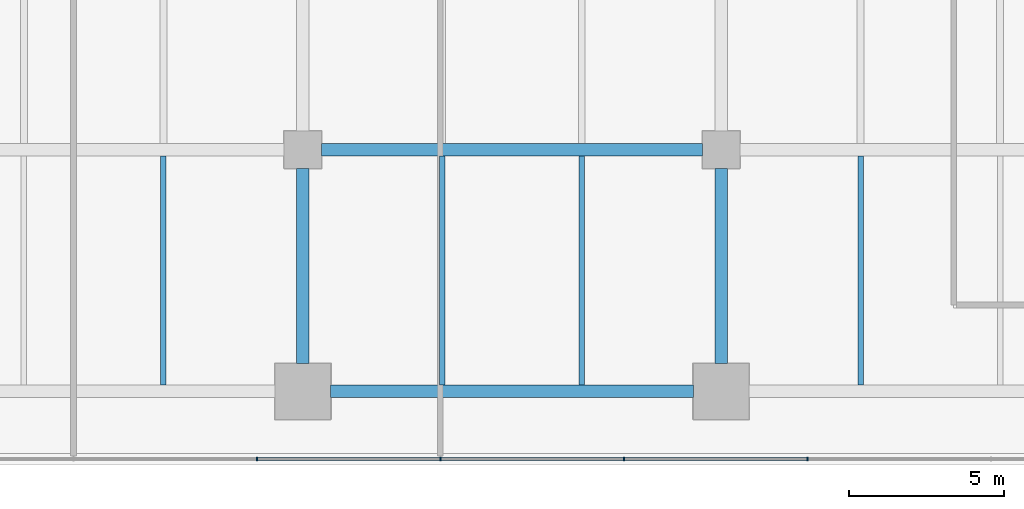
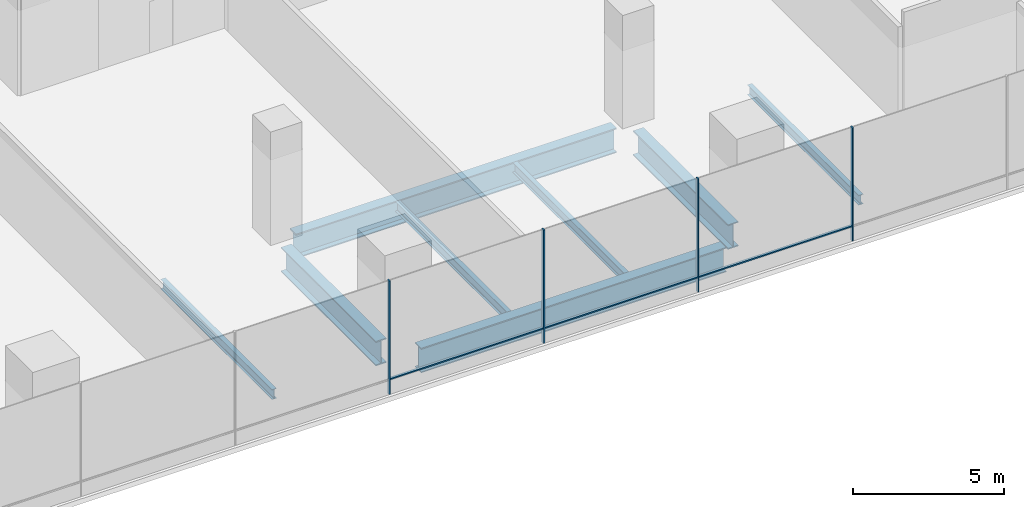
# One storey, part 6 of 28: 8 beams, 7 members, 1 element without a shape of its own.
"""IFC4 building model written with IfcOpenShell, lengths in metres."""

from ifc_helpers import new_model, si_unit, direction, frame, origin, origin_2d, place, context, subcontext, project, spatial, rectangle, i_section, extrude, material, layer, layer_set, material_profile, profile_set, type_object, element, aggregate, save


model = new_model("IFC4")

# Units and contexts
model_context = context("Model", 3, precision=1e-05, world=origin(), true_north=direction((0.0, 1.0)))
body_context = subcontext(model_context, "Body", "Model", "MODEL_VIEW")
ifc_project = project(units=[si_unit("LENGTHUNIT", "METRE"), si_unit("AREAUNIT", "SQUARE_METRE"), si_unit("VOLUMEUNIT", "CUBIC_METRE"), si_unit("PLANEANGLEUNIT", "RADIAN"), si_unit("MASSUNIT", "GRAM", prefix="KILO")], contexts=[model_context])

# Site, building, storey
site_placement = place(None, origin())
site = spatial("IfcSite", under=ifc_project, at=site_placement, CompositionType="ELEMENT")
building_placement = place(site_placement, origin())
building = spatial("IfcBuilding", under=site, at=building_placement, Name="Rattan Terrace Tower", CompositionType="ELEMENT")
storey_placement = place(building_placement, frame((0.0, 0.0, 22.199951171875)))
storey = spatial("IfcBuildingStorey", under=building, at=storey_placement, Name="L04", CompositionType="ELEMENT", Elevation=22.199951171875)

# Beams
ifc_material_1 = material(Name="Steel S355", Category="steel")
ifc_material_profile_1 = material_profile(ifc_material_1, i_section(OverallWidth=0.179931640625, OverallDepth=0.39990234375, WebThickness=0.008544921875, FlangeThickness=0.013427734375, FilletRadius=0.02099609375, at=origin_2d()), Name="IPE 400")
ifc_profile_set_1 = profile_set([ifc_material_profile_1], Name="Steel S355")
beam_type_1 = type_object("IfcBeamType", Name="Frame floor beam IPE 400", PredefinedType="JOIST", material=ifc_profile_set_1)
for number, where, z_axis, x_axis, name in (
    (1, (-4.5, -34.699951171875, -0.39990234375), (0.0, 1.0, 0.0), (-1.0, 0.0, 0.0), "bm-L04-007"),
    (2, (4.5, -34.699951171875, -0.39990234375), (0.0, 1.0, 0.0), (-1.0, 0.0, 0.0), "bm-L04-008"),
    (3, (9.0, -34.699951171875, -0.39990234375), (0.0, 1.0, 0.0), (-1.0, 0.0, 0.0), "bm-L04-009"),
    (4, (18.0, -34.699951171875, -0.39990234375), (0.0, 1.0, 0.0), (-1.0, 0.0, 0.0), "bm-L04-010"),
):
    element("IfcBeam", number, at=place(storey_placement, frame(where, z_axis=z_axis, x_axis=x_axis)), inside=storey, type_object=beam_type_1, Name=name, PredefinedType="JOIST", context=body_context, shape_type="SweptSolid", body=[
        extrude(i_section(OverallWidth=0.179931640625, OverallDepth=0.39990234375, WebThickness=0.008544921875, FlangeThickness=0.013427734375, FilletRadius=0.02099609375, at=origin_2d()), origin(), (0.0, 0.0, 1.0), 7.39990234375),
    ])
ifc_material_2 = material(Name="Steel S460", Category="steel")
ifc_material_profile_2 = material_profile(ifc_material_2, i_section(OverallWidth=0.39990234375, OverallDepth=1.0, WebThickness=0.01806640625, FlangeThickness=0.044921875, at=origin_2d()), Name="PG 1000x400-18-45")
ifc_profile_set_2 = profile_set([ifc_material_profile_2], Name="Steel S460")
beam_type_2 = type_object("IfcBeamType", Name="Frame podium girder PG 1000x400-18-45", PredefinedType="USERDEFINED", material=ifc_profile_set_2)
beam_1_placement = place(storey_placement, frame((0.89990234375, -34.89990234375, -0.699951171875), z_axis=(1.0, 0.0, 0.0), x_axis=(0.0, 1.0, 0.0)))
element("IfcBeam", 5, at=beam_1_placement, inside=storey, type_object=beam_type_2, Name="gdr-L04-004", ObjectType="PODIUM GIRDER", PredefinedType="USERDEFINED", context=body_context, shape_type="SweptSolid", body=[
    extrude(i_section(OverallWidth=0.39990234375, OverallDepth=1.0, WebThickness=0.01806640625, FlangeThickness=0.044921875, at=origin_2d()), origin(), (0.0, 0.0, 1.0), 11.7001953125),
])
for number, where, z_axis, x_axis, name in (
    (6, (0.0, -34.0, -0.699951171875), (0.0, 1.0, 0.0), (-1.0, 0.0, 0.0), "gdr-L04-010"),
    (7, (13.5, -34.0, -0.699951171875), (0.0, 1.0, 0.0), (-1.0, 0.0, 0.0), "gdr-L04-011"),
):
    element("IfcBeam", number, at=place(storey_placement, frame(where, z_axis=z_axis, x_axis=x_axis)), inside=storey, type_object=beam_type_2, Name=name, ObjectType="PODIUM GIRDER", PredefinedType="USERDEFINED", context=body_context, shape_type="SweptSolid", body=[
        extrude(i_section(OverallWidth=0.39990234375, OverallDepth=1.0, WebThickness=0.01806640625, FlangeThickness=0.044921875, at=origin_2d()), origin(), (0.0, 0.0, 1.0), 6.300048828125),
    ])
beam_2_placement = place(storey_placement, frame((0.60009765625, -27.10009765625, -0.699951171875), z_axis=(1.0, 0.0, 0.0), x_axis=(0.0, 1.0, 0.0)))
element("IfcBeam", 8, at=beam_2_placement, inside=storey, type_object=beam_type_2, Name="gdr-L04-017", ObjectType="PODIUM GIRDER", PredefinedType="USERDEFINED", context=body_context, shape_type="SweptSolid", body=[
    extrude(i_section(OverallWidth=0.39990234375, OverallDepth=1.0, WebThickness=0.01806640625, FlangeThickness=0.044921875, at=origin_2d()), origin(), (0.0, 0.0, 1.0), 12.2998046875),
])

# Curtain wall, members
ifc_material_3 = material(Name="Aluminium and glass", Category="aluminium")
ifc_layer = layer(ifc_material_3, 0.1201171875)
ifc_layer_set = layer_set([ifc_layer], Name="Station Storefront Curtain Wall")
curtain_wall_type = type_object("IfcCurtainWallType", Name="Station Storefront Curtain Wall", PredefinedType="NOTDEFINED", material=ifc_layer_set)
curtain_wall_placement = place(storey_placement, origin())
curtain_wall = element("IfcCurtainWall", 9, at=curtain_wall_placement, inside=storey, type_object=curtain_wall_type, Name="Storefront curtain wall L04-4", PredefinedType="NOTDEFINED")
ifc_material_4 = material(Name="Aluminium", Category="aluminium")
ifc_material_profile_3 = material_profile(ifc_material_4, rectangle(XDim=0.050048828125, YDim=0.1201171875, at=origin_2d()), Name="Aluminium 50x120")
ifc_profile_set_3 = profile_set([ifc_material_profile_3], Name="Aluminium")
member_type_1 = type_object("IfcMemberType", Name="Storefront CW Mullion 50x120", PredefinedType="MULLION", material=ifc_profile_set_3)
member_1_placement = place(storey_placement, frame((-1.47998046875, -37.080078125, 0.0), z_axis=(0.0, 0.0, 1.0), x_axis=(1.0, 0.0, 0.0)))
member_1 = element("IfcMember", 10, at=member_1_placement, type_object=member_type_1, Name="Mullion cwl-L04-004.7", PredefinedType="MULLION", context=body_context, shape_type="SweptSolid", body=[
    extrude(rectangle(XDim=0.050048828125, YDim=0.1201171875, at=origin_2d()), origin(), (0.0, 0.0, 1.0), 4.60009765625),
])
member_2_placement = place(storey_placement, frame((4.43994140625, -37.080078125, 0.0), z_axis=(0.0, 0.0, 1.0), x_axis=(1.0, 0.0, 0.0)))
member_2 = element("IfcMember", 11, at=member_2_placement, type_object=member_type_1, Name="Mullion cwl-L04-004.8", PredefinedType="MULLION", context=body_context, shape_type="SweptSolid", body=[
    extrude(rectangle(XDim=0.050048828125, YDim=0.1201171875, at=origin_2d()), origin(), (0.0, 0.0, 1.0), 4.60009765625),
])
member_3_placement = place(storey_placement, frame((10.360107421875, -37.080078125, 0.0), z_axis=(0.0, 0.0, 1.0), x_axis=(1.0, 0.0, 0.0)))
member_3 = element("IfcMember", 12, at=member_3_placement, type_object=member_type_1, Name="Mullion cwl-L04-004.9", PredefinedType="MULLION", context=body_context, shape_type="SweptSolid", body=[
    extrude(rectangle(XDim=0.050048828125, YDim=0.1201171875, at=origin_2d()), origin(), (0.0, 0.0, 1.0), 4.60009765625),
])
member_4_placement = place(storey_placement, frame((16.280029296875, -37.080078125, 0.0), z_axis=(0.0, 0.0, 1.0), x_axis=(1.0, 0.0, 0.0)))
member_4 = element("IfcMember", 13, at=member_4_placement, type_object=member_type_1, Name="Mullion cwl-L04-004.10", PredefinedType="MULLION", context=body_context, shape_type="SweptSolid", body=[
    extrude(rectangle(XDim=0.050048828125, YDim=0.1201171875, at=origin_2d()), origin(), (0.0, 0.0, 1.0), 4.60009765625),
])
ifc_material_5 = material(Name="Aluminium", Category="aluminium")
ifc_material_profile_4 = material_profile(ifc_material_5, rectangle(XDim=0.10009765625, YDim=0.050048828125, at=origin_2d()), Name="Aluminium 100x50")
ifc_profile_set_4 = profile_set([ifc_material_profile_4], Name="Aluminium")
member_type_2 = type_object("IfcMemberType", Name="Storefront CW Transom 100x50", PredefinedType="USERDEFINED", material=ifc_profile_set_4)
member_5_placement = place(storey_placement, frame((-1.455078125, -37.080078125, 0.60009765625), z_axis=(1.0, 0.0, 0.0), x_axis=(0.0, 1.0, 0.0)))
member_5 = element("IfcMember", 14, at=member_5_placement, type_object=member_type_2, Name="Transom cwl-L04-004.7", ObjectType="TRANSOM", PredefinedType="USERDEFINED", context=body_context, shape_type="SweptSolid", body=[
    extrude(rectangle(XDim=0.10009765625, YDim=0.050048828125, at=origin_2d()), origin(), (0.0, 0.0, 1.0), 5.8701171875),
])
member_6_placement = place(storey_placement, frame((4.465087890625, -37.080078125, 0.60009765625), z_axis=(1.0, 0.0, 0.0), x_axis=(0.0, 1.0, 0.0)))
member_6 = element("IfcMember", 15, at=member_6_placement, type_object=member_type_2, Name="Transom cwl-L04-004.8", ObjectType="TRANSOM", PredefinedType="USERDEFINED", context=body_context, shape_type="SweptSolid", body=[
    extrude(rectangle(XDim=0.10009765625, YDim=0.050048828125, at=origin_2d()), origin(), (0.0, 0.0, 1.0), 5.869873046875),
])
member_7_placement = place(storey_placement, frame((10.385009765625, -37.080078125, 0.60009765625), z_axis=(1.0, 0.0, 0.0), x_axis=(0.0, 1.0, 0.0)))
member_7 = element("IfcMember", 16, at=member_7_placement, type_object=member_type_2, Name="Transom cwl-L04-004.9", ObjectType="TRANSOM", PredefinedType="USERDEFINED", context=body_context, shape_type="SweptSolid", body=[
    extrude(rectangle(XDim=0.10009765625, YDim=0.050048828125, at=origin_2d()), origin(), (0.0, 0.0, 1.0), 5.869873046875),
])
aggregate(curtain_wall, [member_1, member_2, member_3, member_4, member_5, member_6, member_7])

save(model, "model.ifc")
